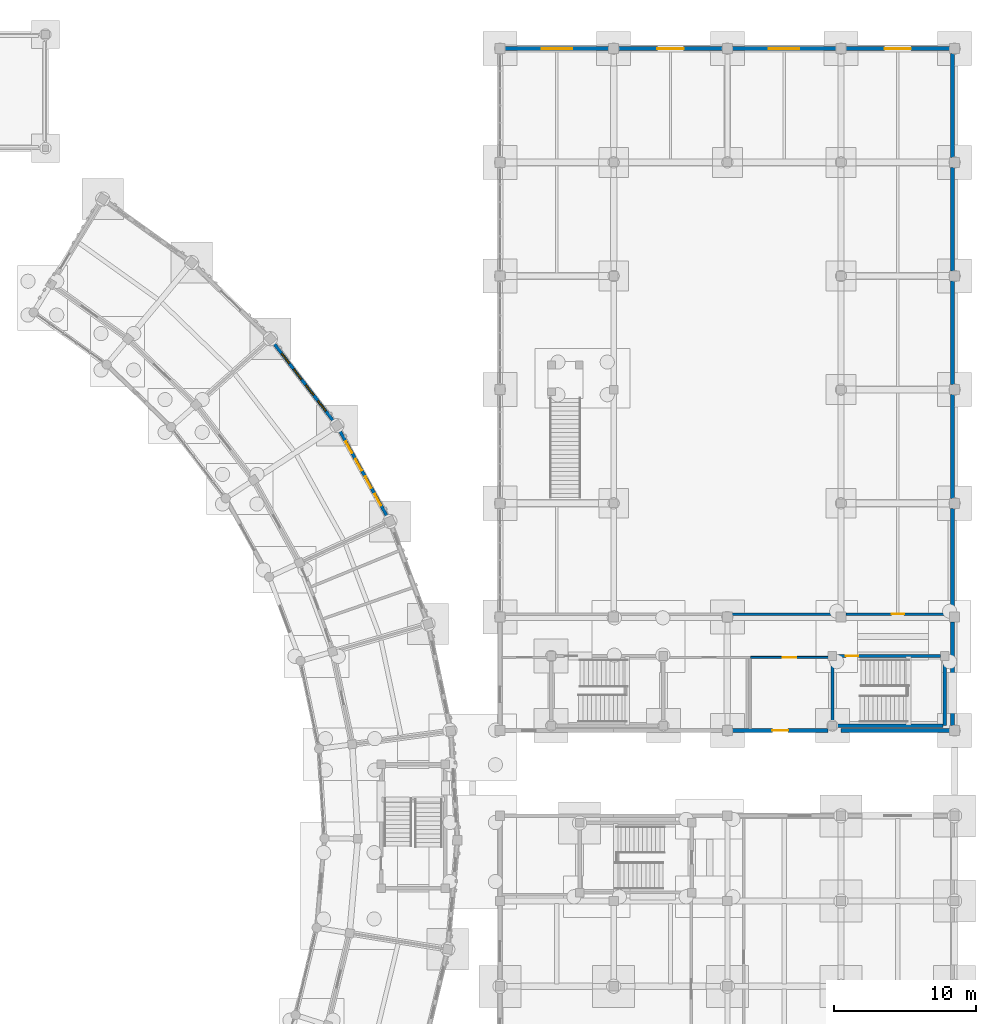
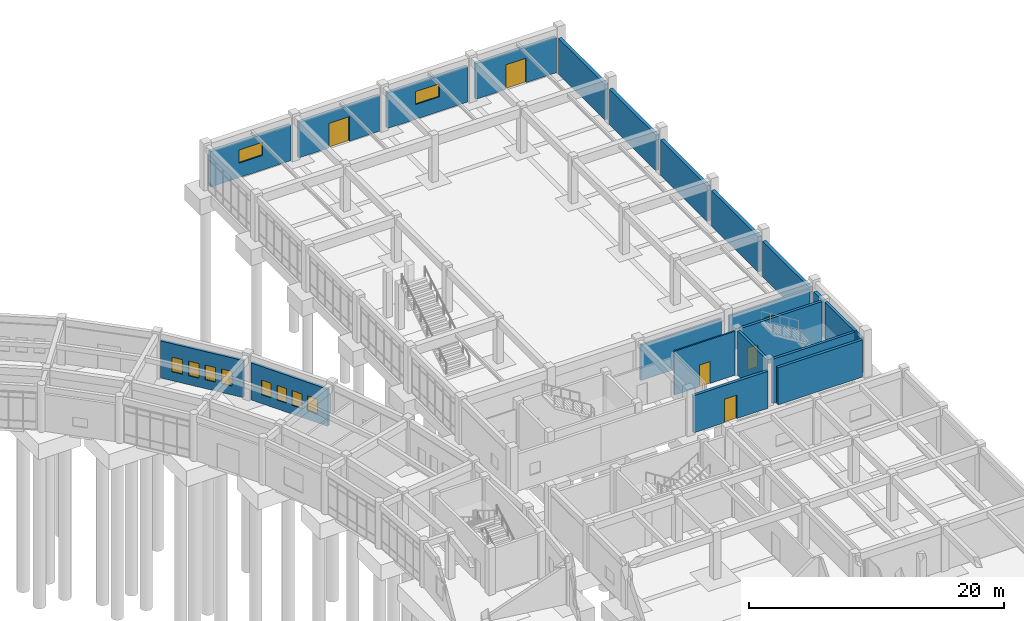
# One storey, part 136 of 153: 21 walls, 10 windows, 6 doors, 16 openings.
"""IFC4 building model written with IfcOpenShell, lengths in metres."""

from ifc_helpers import new_model, si_unit, direction, frame, frame_2d, origin, place, context, subcontext, project, spatial, rectangle, extrude, material, layer, layer_set, type_object, element, fill, save


model = new_model("IFC4")

# Units and contexts
model_context = context("Model", 3, precision=1e-05, world=origin(), true_north=direction((0.0, 1.0)))
body_context = subcontext(model_context, "Body", "Model", "MODEL_VIEW")
ifc_project = project(units=[si_unit("LENGTHUNIT", "METRE"), si_unit("AREAUNIT", "SQUARE_METRE"), si_unit("VOLUMEUNIT", "CUBIC_METRE"), si_unit("PLANEANGLEUNIT", "RADIAN"), si_unit("MASSUNIT", "GRAM", prefix="KILO")], contexts=[model_context])

# Site, building, storey
site_placement = place(None, origin())
site = spatial("IfcSite", under=ifc_project, at=site_placement, CompositionType="ELEMENT")
building_placement = place(site_placement, origin())
building = spatial("IfcBuilding", under=site, at=building_placement, Name="Celadon Cloister-Ring School", CompositionType="ELEMENT")
storey_placement = place(building_placement, origin())
storey = spatial("IfcBuildingStorey", under=building, at=storey_placement, Name="L00", CompositionType="ELEMENT", Elevation=0.0)

# Wall, opening, window
ifc_material_1 = material(Name="Rendered concrete blockwork", Category="masonry")
ifc_layer_1 = layer(ifc_material_1, 0.280029296875)
ifc_layer_set_1 = layer_set([ifc_layer_1], Name="Rendered concrete blockwork")
wall_type_1 = type_object("IfcWallType", Name="WT-EX1", PredefinedType="SOLIDWALL", material=ifc_layer_set_1)
wall_1_placement = place(storey_placement, frame((142.35205078125, 114.0, 0.0), z_axis=(0.0, 0.0, 1.0), x_axis=(1.0, 0.0, 0.0)))
wall_1 = element("IfcWall", 1, at=wall_1_placement, inside=storey, type_object=wall_type_1, Name="Exterior Wall 0377", PredefinedType="SOLIDWALL", context=body_context, shape_type="SweptSolid", body=[
    extrude(rectangle(XDim=7.2958984375, YDim=0.280029296875, at=frame_2d((3.64794921875, 0.0))), origin(), (0.0, 0.0, 1.0), 3.402099609375),
])
opening_1_placement = place(wall_1_placement, frame((2.572998046875, 0.0, 1.39990234375)))
opening_1 = element("IfcOpeningElement", 2, at=opening_1_placement, cuts=wall_1, Name="Opening WN-19", PredefinedType="OPENING", context=body_context, shape_type="SweptSolid", body=[
    extrude(rectangle(XDim=2.14990234375, YDim=1.25, at=frame_2d((1.074951171875, 0.625))), frame((0.0, 0.14990234375, 0.0), z_axis=(0.0, -1.0, 0.0), x_axis=(1.0, 0.0, 0.0)), (0.0, 0.0, 1.0), 0.300048828125),
])
ifc_material_2 = material(Name="Tempered laminated insulating glass", Category="glass")
window_type_1 = type_object("IfcWindowType", Name="WN-19", PartitioningType="DOUBLE_PANEL_VERTICAL", PredefinedType="WINDOW", material=ifc_material_2)
window_1_placement = place(opening_1_placement, origin())
window_1 = element("IfcWindow", 3, at=window_1_placement, inside=storey, type_object=window_type_1, Name="Window 0946", OverallHeight=1.25, OverallWidth=2.14990234375, PartitioningType="SINGLE_PANEL", PredefinedType="WINDOW", context=body_context, shape_type="SweptSolid", body=[
    extrude(rectangle(XDim=2.14990234375, YDim=1.25, at=frame_2d((1.074951171875, 0.625))), frame((0.0, 0.030029296875, 0.0), z_axis=(0.0, -1.0, 0.0), x_axis=(1.0, 0.0, 0.0)), (0.0, 0.0, 1.0), 0.06005859375),
])
fill(opening_1, window_1)

# Wall, opening, door
wall_2_placement = place(storey_placement, frame((150.35205078125, 114.0, 0.0), z_axis=(0.0, 0.0, 1.0), x_axis=(1.0, 0.0, 0.0)))
wall_2 = element("IfcWall", 4, at=wall_2_placement, inside=storey, type_object=wall_type_1, Name="Exterior Wall 0379", PredefinedType="SOLIDWALL", context=body_context, shape_type="SweptSolid", body=[
    extrude(rectangle(XDim=7.2958984375, YDim=0.280029296875, at=frame_2d((3.64794921875, 0.0))), origin(), (0.0, 0.0, 1.0), 3.402099609375),
])
opening_2_placement = place(wall_2_placement, frame((2.722900390625, 0.0, 0.0)))
opening_2 = element("IfcOpeningElement", 5, at=opening_2_placement, cuts=wall_2, Name="Opening D-0015", PredefinedType="OPENING", context=body_context, shape_type="SweptSolid", body=[
    extrude(rectangle(XDim=1.85009765625, YDim=2.35009765625, at=frame_2d((0.925048828125, 1.175048828125))), frame((0.0, 0.14990234375, 0.0), z_axis=(0.0, -1.0, 0.0), x_axis=(1.0, 0.0, 0.0)), (0.0, 0.0, 1.0), 0.300048828125),
])
ifc_material_3 = material(Name="Aluminium EN AW-6063 T6", Category="aluminium")
door_type_1 = type_object("IfcDoorType", Name="DE-10", OperationType="NOTDEFINED", PredefinedType="DOOR", material=ifc_material_3)
door_1_placement = place(opening_2_placement, origin())
door_1 = element("IfcDoor", 6, at=door_1_placement, inside=storey, type_object=door_type_1, Name="Exterior Door D-0015", OperationType="SINGLE_SWING_LEFT", OverallHeight=2.35009765625, OverallWidth=1.85009765625, PredefinedType="DOOR", context=body_context, shape_type="SweptSolid", body=[
    extrude(rectangle(XDim=1.85009765625, YDim=2.35009765625, at=frame_2d((0.925048828125, 1.175048828125))), frame((0.0, 0.02490234375, 0.0), z_axis=(0.0, -1.0, 0.0), x_axis=(1.0, 0.0, 0.0)), (0.0, 0.0, 1.0), 0.050048828125),
])
fill(opening_2, door_1)

# Wall, opening, window
wall_3_placement = place(storey_placement, frame((158.35205078125, 114.0, 0.0), z_axis=(0.0, 0.0, 1.0), x_axis=(1.0, 0.0, 0.0)))
wall_3 = element("IfcWall", 7, at=wall_3_placement, inside=storey, type_object=wall_type_1, Name="Exterior Wall 0381", PredefinedType="SOLIDWALL", context=body_context, shape_type="SweptSolid", body=[
    extrude(rectangle(XDim=7.2958984375, YDim=0.280029296875, at=frame_2d((3.64794921875, 0.0))), origin(), (0.0, 0.0, 1.0), 3.402099609375),
])
opening_3_placement = place(wall_3_placement, frame((2.572998046875, 0.0, 1.39990234375)))
opening_3 = element("IfcOpeningElement", 8, at=opening_3_placement, cuts=wall_3, Name="Opening WN-19", PredefinedType="OPENING", context=body_context, shape_type="SweptSolid", body=[
    extrude(rectangle(XDim=2.14990234375, YDim=1.25, at=frame_2d((1.074951171875, 0.625))), frame((0.0, 0.14990234375, 0.0), z_axis=(0.0, -1.0, 0.0), x_axis=(1.0, 0.0, 0.0)), (0.0, 0.0, 1.0), 0.300048828125),
])
window_2_placement = place(opening_3_placement, origin())
window_2 = element("IfcWindow", 9, at=window_2_placement, inside=storey, type_object=window_type_1, Name="Window 0948", OverallHeight=1.25, OverallWidth=2.14990234375, PartitioningType="SINGLE_PANEL", PredefinedType="WINDOW", context=body_context, shape_type="SweptSolid", body=[
    extrude(rectangle(XDim=2.14990234375, YDim=1.25, at=frame_2d((1.074951171875, 0.625))), frame((0.0, 0.030029296875, 0.0), z_axis=(0.0, -1.0, 0.0), x_axis=(1.0, 0.0, 0.0)), (0.0, 0.0, 1.0), 0.06005859375),
])
fill(opening_3, window_2)

# Wall, opening, door
wall_4_placement = place(storey_placement, frame((166.35205078125, 114.0, 0.0), z_axis=(0.0, 0.0, 1.0), x_axis=(1.0, 0.0, 0.0)))
wall_4 = element("IfcWall", 10, at=wall_4_placement, inside=storey, type_object=wall_type_1, Name="Exterior Wall 0383", PredefinedType="SOLIDWALL", context=body_context, shape_type="SweptSolid", body=[
    extrude(rectangle(XDim=7.2958984375, YDim=0.280029296875, at=frame_2d((3.64794921875, 0.0))), origin(), (0.0, 0.0, 1.0), 3.402099609375),
])
opening_4_placement = place(wall_4_placement, frame((2.722900390625, 0.0, 0.0)))
opening_4 = element("IfcOpeningElement", 11, at=opening_4_placement, cuts=wall_4, Name="Opening D-0017", PredefinedType="OPENING", context=body_context, shape_type="SweptSolid", body=[
    extrude(rectangle(XDim=1.85009765625, YDim=2.35009765625, at=frame_2d((0.925048828125, 1.175048828125))), frame((0.0, 0.14990234375, 0.0), z_axis=(0.0, -1.0, 0.0), x_axis=(1.0, 0.0, 0.0)), (0.0, 0.0, 1.0), 0.300048828125),
])
door_2_placement = place(opening_4_placement, origin())
door_2 = element("IfcDoor", 12, at=door_2_placement, inside=storey, type_object=door_type_1, Name="Exterior Door D-0017", OperationType="SINGLE_SWING_LEFT", OverallHeight=2.35009765625, OverallWidth=1.85009765625, PredefinedType="DOOR", context=body_context, shape_type="SweptSolid", body=[
    extrude(rectangle(XDim=1.85009765625, YDim=2.35009765625, at=frame_2d((0.925048828125, 1.175048828125))), frame((0.0, 0.02490234375, 0.0), z_axis=(0.0, -1.0, 0.0), x_axis=(1.0, 0.0, 0.0)), (0.0, 0.0, 1.0), 0.050048828125),
])
fill(opening_4, door_2)

ifc_material_4 = material(Name="Rendered concrete blockwork", Category="masonry")
ifc_layer_2 = layer(ifc_material_4, 0.260009765625)
ifc_layer_set_2 = layer_set([ifc_layer_2], Name="Rendered concrete blockwork")
wall_type_2 = type_object("IfcWallType", Name="WT-EX2", PredefinedType="SOLIDWALL", material=ifc_layer_set_2)
wall_5_placement = place(storey_placement, frame((165.097900390625, 66.0, 0.0), z_axis=(0.0, 0.0, 1.0), x_axis=(-1.0, 0.0, 0.0)))
wall_5 = element("IfcWall", 13, at=wall_5_placement, inside=storey, type_object=wall_type_2, Name="Exterior Wall 0382", PredefinedType="SOLIDWALL", context=body_context, shape_type="SweptSolid", body=[
    extrude(rectangle(XDim=6.745849609375, YDim=0.260009765625, at=frame_2d((3.373046875, 0.0))), origin(), (0.0, 0.0, 1.0), 3.550048828125),
])
opening_5_placement = place(wall_5_placement, frame((2.822998046875, 0.0, 0.0)))
opening_5 = element("IfcOpeningElement", 14, at=opening_5_placement, cuts=wall_5, Name="Opening D-0016", PredefinedType="OPENING", context=body_context, shape_type="SweptSolid", body=[
    extrude(rectangle(XDim=1.10009765625, YDim=2.25, at=frame_2d((0.550048828125, 1.125))), frame((0.0, 0.14013671875, 0.0), z_axis=(0.0, -1.0, 0.0), x_axis=(1.0, 0.0, 0.0)), (0.0, 0.0, 1.0), 0.280029296875),
])
ifc_material_5 = material(Name="Aluminium EN AW-6063 T6", Category="aluminium")
door_type_2 = type_object("IfcDoorType", Name="DE-05", OperationType="NOTDEFINED", PredefinedType="DOOR", material=ifc_material_5)
door_3_placement = place(opening_5_placement, origin())
door_3 = element("IfcDoor", 15, at=door_3_placement, inside=storey, type_object=door_type_2, Name="Exterior Door D-0016", OperationType="SINGLE_SWING_RIGHT", OverallHeight=2.25, OverallWidth=1.10009765625, PredefinedType="DOOR", context=body_context, shape_type="SweptSolid", body=[
    extrude(rectangle(XDim=1.10009765625, YDim=2.25, at=frame_2d((0.550048828125, 1.125))), frame((0.0, 0.02490234375, 0.0), z_axis=(0.0, -1.0, 0.0), x_axis=(1.0, 0.0, 0.0)), (0.0, 0.0, 1.0), 0.050048828125),
])
fill(opening_5, door_3)

# Wall
wall_6_placement = place(storey_placement, frame((173.64794921875, 66.0, 0.0), z_axis=(0.0, 0.0, 1.0), x_axis=(-1.0, 0.0, 0.0)))
element("IfcWall", 16, at=wall_6_placement, inside=storey, type_object=wall_type_2, Name="Exterior Wall 0384", PredefinedType="SOLIDWALL", context=body_context, shape_type="SweptSolid", body=[
    extrude(rectangle(XDim=7.64794921875, YDim=0.260009765625, at=frame_2d((3.823974609375, 0.0))), origin(), (0.0, 0.0, 1.0), 3.550048828125),
])

# Wall, openings, windows
ifc_material_6 = material(Name="Perforated terracotta clay brick masonry", Category="masonry")
ifc_layer_3 = layer(ifc_material_6, 0.219970703125)
ifc_layer_set_3 = layer_set([ifc_layer_3], Name="Perforated terracotta clay brick masonry")
wall_type_3 = type_object("IfcWallType", Name="WT-EX4", PredefinedType="SOLIDWALL", material=ifc_layer_set_3)
wall_7_placement = place(storey_placement, frame((130.678955078125, 87.173095703125, 0.0), z_axis=(0.0, 0.0, 1.0), x_axis=(0.483873000068, -0.87513822897, 0.0)))
wall_7 = element("IfcWall", 17, at=wall_7_placement, inside=storey, type_object=wall_type_3, Name="Exterior Wall 0045", PredefinedType="SOLIDWALL", context=body_context, shape_type="SweptSolid", body=[
    extrude(rectangle(XDim=7.031005859375, YDim=0.219970703125, at=frame_2d((3.515625, 0.0))), origin(), (0.0, 0.0, 1.0), 3.550048828125),
])
opening_6_placement = place(wall_7_placement, frame((0.9560546875, 0.0, 0.85009765625)))
opening_6 = element("IfcOpeningElement", 18, at=opening_6_placement, cuts=wall_7, Name="Opening WN-21", PredefinedType="OPENING", context=body_context, shape_type="SweptSolid", body=[
    extrude(rectangle(XDim=0.89990234375, YDim=1.39990234375, at=frame_2d((0.449951171875, 0.699951171875))), frame((0.0, 0.1201171875, 0.0), z_axis=(0.0, -1.0, 0.0), x_axis=(1.0, 0.0, 0.0)), (0.0, 0.0, 1.0), 0.239990234375),
])
opening_7_placement = place(wall_7_placement, frame((2.362060546875, 0.0, 0.85009765625)))
opening_7 = element("IfcOpeningElement", 19, at=opening_7_placement, cuts=wall_7, Name="Opening WN-21", PredefinedType="OPENING", context=body_context, shape_type="SweptSolid", body=[
    extrude(rectangle(XDim=0.89990234375, YDim=1.39990234375, at=frame_2d((0.449951171875, 0.699951171875))), frame((0.0, 0.1201171875, 0.0), z_axis=(0.0, -1.0, 0.0), x_axis=(1.0, 0.0, 0.0)), (0.0, 0.0, 1.0), 0.239990234375),
])
opening_8_placement = place(wall_7_placement, frame((3.76904296875, 0.0, 0.85009765625)))
opening_8 = element("IfcOpeningElement", 20, at=opening_8_placement, cuts=wall_7, Name="Opening WN-21", PredefinedType="OPENING", context=body_context, shape_type="SweptSolid", body=[
    extrude(rectangle(XDim=0.89990234375, YDim=1.39990234375, at=frame_2d((0.449951171875, 0.699951171875))), frame((0.0, 0.1201171875, 0.0), z_axis=(0.0, -1.0, 0.0), x_axis=(1.0, 0.0, 0.0)), (0.0, 0.0, 1.0), 0.239990234375),
])
opening_9_placement = place(wall_7_placement, frame((5.175048828125, 0.0, 0.85009765625)))
opening_9 = element("IfcOpeningElement", 21, at=opening_9_placement, cuts=wall_7, Name="Opening WN-21", PredefinedType="OPENING", context=body_context, shape_type="SweptSolid", body=[
    extrude(rectangle(XDim=0.89990234375, YDim=1.39990234375, at=frame_2d((0.449951171875, 0.699951171875))), frame((0.0, 0.1201171875, 0.0), z_axis=(0.0, -1.0, 0.0), x_axis=(1.0, 0.0, 0.0)), (0.0, 0.0, 1.0), 0.239990234375),
])
ifc_material_7 = material(Name="Tempered laminated insulating glass", Category="glass")
window_type_2 = type_object("IfcWindowType", Name="WN-21", PartitioningType="SINGLE_PANEL", PredefinedType="WINDOW", material=ifc_material_7)
window_3_placement = place(opening_6_placement, origin())
window_3 = element("IfcWindow", 22, at=window_3_placement, inside=storey, type_object=window_type_2, Name="Window 0115", OverallHeight=1.39990234375, OverallWidth=0.89990234375, PartitioningType="SINGLE_PANEL", PredefinedType="WINDOW", context=body_context, shape_type="SweptSolid", body=[
    extrude(rectangle(XDim=0.89990234375, YDim=1.39990234375, at=frame_2d((0.449951171875, 0.699951171875))), frame((0.0, 0.030029296875, 0.0), z_axis=(0.0, -1.0, 0.0), x_axis=(1.0, 0.0, 0.0)), (0.0, 0.0, 1.0), 0.06005859375),
])
fill(opening_6, window_3)
window_4_placement = place(opening_7_placement, origin())
window_4 = element("IfcWindow", 23, at=window_4_placement, inside=storey, type_object=window_type_2, Name="Window 0116", OverallHeight=1.39990234375, OverallWidth=0.89990234375, PartitioningType="SINGLE_PANEL", PredefinedType="WINDOW", context=body_context, shape_type="SweptSolid", body=[
    extrude(rectangle(XDim=0.89990234375, YDim=1.39990234375, at=frame_2d((0.449951171875, 0.699951171875))), frame((0.0, 0.030029296875, 0.0), z_axis=(0.0, -1.0, 0.0), x_axis=(1.0, 0.0, 0.0)), (0.0, 0.0, 1.0), 0.06005859375),
])
fill(opening_7, window_4)
window_5_placement = place(opening_8_placement, origin())
window_5 = element("IfcWindow", 24, at=window_5_placement, inside=storey, type_object=window_type_2, Name="Window 0117", OverallHeight=1.39990234375, OverallWidth=0.89990234375, PartitioningType="SINGLE_PANEL", PredefinedType="WINDOW", context=body_context, shape_type="SweptSolid", body=[
    extrude(rectangle(XDim=0.89990234375, YDim=1.39990234375, at=frame_2d((0.449951171875, 0.699951171875))), frame((0.0, 0.030029296875, 0.0), z_axis=(0.0, -1.0, 0.0), x_axis=(1.0, 0.0, 0.0)), (0.0, 0.0, 1.0), 0.06005859375),
])
fill(opening_8, window_5)
window_6_placement = place(opening_9_placement, origin())
window_6 = element("IfcWindow", 25, at=window_6_placement, inside=storey, type_object=window_type_2, Name="Window 0118", OverallHeight=1.39990234375, OverallWidth=0.89990234375, PartitioningType="SINGLE_PANEL", PredefinedType="WINDOW", context=body_context, shape_type="SweptSolid", body=[
    extrude(rectangle(XDim=0.89990234375, YDim=1.39990234375, at=frame_2d((0.449951171875, 0.699951171875))), frame((0.0, 0.030029296875, 0.0), z_axis=(0.0, -1.0, 0.0), x_axis=(1.0, 0.0, 0.0)), (0.0, 0.0, 1.0), 0.06005859375),
])
fill(opening_9, window_6)

wall_8_placement = place(storey_placement, frame((126.035888671875, 93.31689453125, 0.0), z_axis=(0.0, 0.0, 1.0), x_axis=(0.60805685998, -0.793893478391, 0.0)))
wall_8 = element("IfcWall", 26, at=wall_8_placement, inside=storey, type_object=wall_type_3, Name="Exterior Wall 0047", PredefinedType="SOLIDWALL", context=body_context, shape_type="SweptSolid", body=[
    extrude(rectangle(XDim=7.032470703125, YDim=0.219970703125, at=frame_2d((3.51611328125, 0.0))), origin(), (0.0, 0.0, 1.0), 3.550048828125),
])
opening_10_placement = place(wall_8_placement, frame((0.9560546875, 0.0, 0.85009765625)))
opening_10 = element("IfcOpeningElement", 27, at=opening_10_placement, cuts=wall_8, Name="Opening WN-21", PredefinedType="OPENING", context=body_context, shape_type="SweptSolid", body=[
    extrude(rectangle(XDim=0.89990234375, YDim=1.39990234375, at=frame_2d((0.449951171875, 0.699951171875))), frame((0.0, 0.1201171875, 0.0), z_axis=(0.0, -1.0, 0.0), x_axis=(1.0, 0.0, 0.0)), (0.0, 0.0, 1.0), 0.239990234375),
])
opening_11_placement = place(wall_8_placement, frame((2.363037109375, 0.0, 0.85009765625)))
opening_11 = element("IfcOpeningElement", 28, at=opening_11_placement, cuts=wall_8, Name="Opening WN-21", PredefinedType="OPENING", context=body_context, shape_type="SweptSolid", body=[
    extrude(rectangle(XDim=0.89990234375, YDim=1.39990234375, at=frame_2d((0.449951171875, 0.699951171875))), frame((0.0, 0.1201171875, 0.0), z_axis=(0.0, -1.0, 0.0), x_axis=(1.0, 0.0, 0.0)), (0.0, 0.0, 1.0), 0.239990234375),
])
opening_12_placement = place(wall_8_placement, frame((3.76904296875, 0.0, 0.85009765625)))
opening_12 = element("IfcOpeningElement", 29, at=opening_12_placement, cuts=wall_8, Name="Opening WN-21", PredefinedType="OPENING", context=body_context, shape_type="SweptSolid", body=[
    extrude(rectangle(XDim=0.89990234375, YDim=1.39990234375, at=frame_2d((0.449951171875, 0.699951171875))), frame((0.0, 0.1201171875, 0.0), z_axis=(0.0, -1.0, 0.0), x_axis=(1.0, 0.0, 0.0)), (0.0, 0.0, 1.0), 0.239990234375),
])
opening_13_placement = place(wall_8_placement, frame((5.176025390625, 0.0, 0.85009765625)))
opening_13 = element("IfcOpeningElement", 30, at=opening_13_placement, cuts=wall_8, Name="Opening WN-21", PredefinedType="OPENING", context=body_context, shape_type="SweptSolid", body=[
    extrude(rectangle(XDim=0.89990234375, YDim=1.39990234375, at=frame_2d((0.449951171875, 0.699951171875))), frame((0.0, 0.1201171875, 0.0), z_axis=(0.0, -1.0, 0.0), x_axis=(1.0, 0.0, 0.0)), (0.0, 0.0, 1.0), 0.239990234375),
])
window_7_placement = place(opening_10_placement, origin())
window_7 = element("IfcWindow", 31, at=window_7_placement, inside=storey, type_object=window_type_2, Name="Window 0119", OverallHeight=1.39990234375, OverallWidth=0.89990234375, PartitioningType="SINGLE_PANEL", PredefinedType="WINDOW", context=body_context, shape_type="SweptSolid", body=[
    extrude(rectangle(XDim=0.89990234375, YDim=1.39990234375, at=frame_2d((0.449951171875, 0.699951171875))), frame((0.0, 0.030029296875, 0.0), z_axis=(0.0, -1.0, 0.0), x_axis=(1.0, 0.0, 0.0)), (0.0, 0.0, 1.0), 0.06005859375),
])
fill(opening_10, window_7)
window_8_placement = place(opening_11_placement, origin())
window_8 = element("IfcWindow", 32, at=window_8_placement, inside=storey, type_object=window_type_2, Name="Window 0120", OverallHeight=1.39990234375, OverallWidth=0.89990234375, PartitioningType="SINGLE_PANEL", PredefinedType="WINDOW", context=body_context, shape_type="SweptSolid", body=[
    extrude(rectangle(XDim=0.89990234375, YDim=1.39990234375, at=frame_2d((0.449951171875, 0.699951171875))), frame((0.0, 0.030029296875, 0.0), z_axis=(0.0, -1.0, 0.0), x_axis=(1.0, 0.0, 0.0)), (0.0, 0.0, 1.0), 0.06005859375),
])
fill(opening_11, window_8)
window_9_placement = place(opening_12_placement, origin())
window_9 = element("IfcWindow", 33, at=window_9_placement, inside=storey, type_object=window_type_2, Name="Window 0121", OverallHeight=1.39990234375, OverallWidth=0.89990234375, PartitioningType="SINGLE_PANEL", PredefinedType="WINDOW", context=body_context, shape_type="SweptSolid", body=[
    extrude(rectangle(XDim=0.89990234375, YDim=1.39990234375, at=frame_2d((0.449951171875, 0.699951171875))), frame((0.0, 0.030029296875, 0.0), z_axis=(0.0, -1.0, 0.0), x_axis=(1.0, 0.0, 0.0)), (0.0, 0.0, 1.0), 0.06005859375),
])
fill(opening_12, window_9)
window_10_placement = place(opening_13_placement, origin())
window_10 = element("IfcWindow", 34, at=window_10_placement, inside=storey, type_object=window_type_2, Name="Window 0122", OverallHeight=1.39990234375, OverallWidth=0.89990234375, PartitioningType="SINGLE_PANEL", PredefinedType="WINDOW", context=body_context, shape_type="SweptSolid", body=[
    extrude(rectangle(XDim=0.89990234375, YDim=1.39990234375, at=frame_2d((0.449951171875, 0.699951171875))), frame((0.0, 0.030029296875, 0.0), z_axis=(0.0, -1.0, 0.0), x_axis=(1.0, 0.0, 0.0)), (0.0, 0.0, 1.0), 0.06005859375),
])
fill(opening_13, window_10)

# Walls
ifc_material_8 = material(Name="Concrete C40/50", Category="concrete")
ifc_layer_4 = layer(ifc_material_8, 0.300048828125)
ifc_layer_set_4 = layer_set([ifc_layer_4], Name="Concrete C40/50")
wall_type_4 = type_object("IfcWallType", Name="WT-FW1", PredefinedType="SHEAR", material=ifc_layer_set_4)
for number, where, z_axis, x_axis, name in (
    (35, (173.85009765625, 113.64794921875, 0.0), (0.0, 0.0, 1.0), (0.0, -1.0, 0.0), "Exterior Wall 0371"),
    (36, (173.85009765625, 105.64794921875, 0.0), (0.0, 0.0, 1.0), (0.0, -1.0, 0.0), "Exterior Wall 0372"),
    (37, (173.85009765625, 97.64794921875, 0.0), (0.0, 0.0, 1.0), (0.0, -1.0, 0.0), "Exterior Wall 0373"),
    (38, (173.85009765625, 89.64794921875, 0.0), (0.0, 0.0, 1.0), (0.0, -1.0, 0.0), "Exterior Wall 0374"),
    (39, (173.85009765625, 81.64794921875, 0.0), (0.0, 0.0, 1.0), (0.0, -1.0, 0.0), "Exterior Wall 0375"),
    (40, (173.85009765625, 73.64794921875, 0.0), (0.0, 0.0, 1.0), (0.0, -1.0, 0.0), "Exterior Wall 0376"),
):
    element("IfcWall", number, at=place(storey_placement, frame(where, z_axis=z_axis, x_axis=x_axis)), inside=storey, type_object=wall_type_4, Name=name, PredefinedType="SHEAR", context=body_context, shape_type="SweptSolid", body=[
        extrude(rectangle(XDim=7.2958984375, YDim=0.300048828125, at=frame_2d((3.64794921875, 0.0))), origin(), (0.0, 0.0, 1.0), 3.402099609375),
    ])

# Wall, opening, door
ifc_material_9 = material(Name="Plastered hollow concrete masonry", Category="masonry")
ifc_layer_5 = layer(ifc_material_9, 0.179931640625)
ifc_layer_set_5 = layer_set([ifc_layer_5], Name="Plastered hollow concrete masonry")
wall_type_5 = type_object("IfcWallType", Name="WT-PT2", PredefinedType="PARTITIONING", material=ifc_layer_set_5)
wall_9_placement = place(storey_placement, frame((173.657958984375, 74.199951171875, 0.0), z_axis=(0.0, 0.0, 1.0), x_axis=(-1.0, 0.0, 0.0)))
wall_9 = element("IfcWall", 41, at=wall_9_placement, inside=storey, type_object=wall_type_5, Name="Interior Wall 0874", PredefinedType="PARTITIONING", context=body_context, shape_type="SweptSolid", body=[
    extrude(rectangle(XDim=7.31591796875, YDim=0.179931640625, at=frame_2d((3.657958984375, 0.0))), origin(), (0.0, 0.0, 1.0), 3.402099609375),
])
opening_14_placement = place(wall_9_placement, frame((3.218017578125, 0.0, 0.0)))
opening_14 = element("IfcOpeningElement", 42, at=opening_14_placement, cuts=wall_9, Name="Opening D-0321", PredefinedType="OPENING", context=body_context, shape_type="SweptSolid", body=[
    extrude(rectangle(XDim=0.8798828125, YDim=2.10009765625, at=frame_2d((0.43994140625, 1.050048828125))), frame((0.0, 0.10009765625, 0.0), z_axis=(0.0, -1.0, 0.0), x_axis=(1.0, 0.0, 0.0)), (0.0, 0.0, 1.0), 0.199951171875),
])
ifc_material_10 = material(Name="Solid-core fire-rated hardwood leaf", Category="wood")
door_type_3 = type_object("IfcDoorType", Name="DT-01", OperationType="NOTDEFINED", PredefinedType="DOOR", material=ifc_material_10)
door_4_placement = place(opening_14_placement, origin())
door_4 = element("IfcDoor", 43, at=door_4_placement, inside=storey, type_object=door_type_3, Name="Door D-0321", OperationType="SINGLE_SWING_LEFT", OverallHeight=2.10009765625, OverallWidth=0.8798828125, PredefinedType="DOOR", context=body_context, shape_type="SweptSolid", body=[
    extrude(rectangle(XDim=0.8798828125, YDim=2.10009765625, at=frame_2d((0.43994140625, 1.050048828125))), frame((0.0, 0.02490234375, 0.0), z_axis=(0.0, -1.0, 0.0), x_axis=(1.0, 0.0, 0.0)), (0.0, 0.0, 1.0), 0.050048828125),
])
fill(opening_14, door_4)

# Wall
wall_10_placement = place(storey_placement, frame((165.657958984375, 74.199951171875, 0.0), z_axis=(0.0, 0.0, 1.0), x_axis=(-1.0, 0.0, 0.0)))
element("IfcWall", 44, at=wall_10_placement, inside=storey, type_object=wall_type_5, Name="Interior Wall 0875", PredefinedType="PARTITIONING", context=body_context, shape_type="SweptSolid", body=[
    extrude(rectangle(XDim=7.31591796875, YDim=0.179931640625, at=frame_2d((3.657958984375, 0.0))), origin(), (0.0, 0.0, 1.0), 3.402099609375),
])

# Wall, opening, door
ifc_material_11 = material(Name="Acoustic mineral-wool drywall partition")
ifc_layer_6 = layer(ifc_material_11, 0.139892578125)
ifc_layer_set_6 = layer_set([ifc_layer_6], Name="Acoustic mineral-wool drywall partition")
wall_type_6 = type_object("IfcWallType", Name="WT-PT4", PredefinedType="PARTITIONING", material=ifc_layer_set_6)
wall_11_placement = place(storey_placement, frame((159.639892578125, 71.14990234375, 0.0), z_axis=(0.0, 0.0, 1.0), x_axis=(1.0, 0.0, 0.0)))
wall_11 = element("IfcWall", 45, at=wall_11_placement, inside=storey, type_object=wall_type_6, Name="Interior Wall 0880", PredefinedType="PARTITIONING", context=body_context, shape_type="SweptSolid", body=[
    extrude(rectangle(XDim=5.468017578125, YDim=0.139892578125, at=frame_2d((2.73388671875, 0.0))), origin(), (0.0, 0.0, 1.0), 4.199951171875),
])
opening_15_placement = place(wall_11_placement, frame((2.25390625, 0.0, 0.0)))
opening_15 = element("IfcOpeningElement", 46, at=opening_15_placement, cuts=wall_11, Name="Opening D-0323", PredefinedType="OPENING", context=body_context, shape_type="SweptSolid", body=[
    extrude(rectangle(XDim=0.9599609375, YDim=2.10009765625, at=frame_2d((0.47998046875, 1.050048828125))), frame((0.0, 0.080078125, 0.0), z_axis=(0.0, -1.0, 0.0), x_axis=(1.0, 0.0, 0.0)), (0.0, 0.0, 1.0), 0.159912109375),
])
ifc_material_12 = material(Name="Solid-core fire-rated hardwood leaf", Category="wood")
door_type_4 = type_object("IfcDoorType", Name="DT-03", OperationType="NOTDEFINED", PredefinedType="DOOR", material=ifc_material_12)
door_5_placement = place(opening_15_placement, origin())
door_5 = element("IfcDoor", 47, at=door_5_placement, inside=storey, type_object=door_type_4, Name="Door D-0323", OperationType="SINGLE_SWING_LEFT", OverallHeight=2.10009765625, OverallWidth=0.9599609375, PredefinedType="DOOR", context=body_context, shape_type="SweptSolid", body=[
    extrude(rectangle(XDim=0.9599609375, YDim=2.10009765625, at=frame_2d((0.47998046875, 1.050048828125))), frame((0.0, 0.02490234375, 0.0), z_axis=(0.0, -1.0, 0.0), x_axis=(1.0, 0.0, 0.0)), (0.0, 0.0, 1.0), 0.050048828125),
])
fill(opening_15, door_5)

# Walls
ifc_material_13 = material(Name="Concrete C40/50", Category="concrete")
ifc_layer_7 = layer(ifc_material_13, 0.239990234375)
ifc_layer_set_7 = layer_set([ifc_layer_7], Name="Concrete C40/50")
wall_type_7 = type_object("IfcWallType", Name="WT-SH1", PredefinedType="SHEAR", material=ifc_layer_set_7)
wall_12_placement = place(storey_placement, frame((165.39990234375, 66.64208984375, 0.0), z_axis=(0.0, 0.0, 1.0), x_axis=(0.0, 1.0, 0.0)))
element("IfcWall", 48, at=wall_12_placement, inside=storey, type_object=wall_type_7, Name="Interior Wall 0121", PredefinedType="SHEAR", context=body_context, shape_type="SweptSolid", body=[
    extrude(rectangle(XDim=4.31591796875, YDim=0.239990234375, at=frame_2d((2.157958984375, 0.0))), origin(), (0.0, 0.0, 1.0), 4.239990234375),
])
wall_13_placement = place(storey_placement, frame((173.300048828125, 70.9580078125, 0.0), z_axis=(0.0, 0.0, 1.0), x_axis=(0.0, -1.0, 0.0)))
element("IfcWall", 49, at=wall_13_placement, inside=storey, type_object=wall_type_7, Name="Interior Wall 0122", PredefinedType="SHEAR", context=body_context, shape_type="SweptSolid", body=[
    extrude(rectangle(XDim=4.60791015625, YDim=0.239990234375, at=frame_2d((2.303955078125, 0.0))), origin(), (0.0, 0.0, 1.0), 4.239990234375),
])
wall_14_placement = place(storey_placement, frame((173.177001953125, 66.35009765625, 0.0), z_axis=(0.0, 0.0, 1.0), x_axis=(-1.0, 0.0, 0.0)))
element("IfcWall", 50, at=wall_14_placement, inside=storey, type_object=wall_type_7, Name="Interior Wall 0123", PredefinedType="SHEAR", context=body_context, shape_type="SweptSolid", body=[
    extrude(rectangle(XDim=7.485107421875, YDim=0.239990234375, at=frame_2d((3.74267578125, 0.0))), origin(), (0.0, 0.0, 1.0), 4.239990234375),
])

# Wall, opening, door
wall_15_placement = place(storey_placement, frame((165.69189453125, 71.25, 0.0), z_axis=(0.0, 0.0, 1.0), x_axis=(1.0, 0.0, 0.0)))
wall_15 = element("IfcWall", 51, at=wall_15_placement, inside=storey, type_object=wall_type_7, Name="Interior Wall 0124", PredefinedType="SHEAR", context=body_context, shape_type="SweptSolid", body=[
    extrude(rectangle(XDim=7.316162109375, YDim=0.239990234375, at=frame_2d((3.658203125, 0.0))), origin(), (0.0, 0.0, 1.0), 4.239990234375),
])
opening_16_placement = place(wall_15_placement, frame((0.656982421875, 0.0, 0.0)))
opening_16 = element("IfcOpeningElement", 52, at=opening_16_placement, cuts=wall_15, Name="Opening D-0063", PredefinedType="OPENING", context=body_context, shape_type="SweptSolid", body=[
    extrude(rectangle(XDim=0.8798828125, YDim=2.10009765625, at=frame_2d((0.43994140625, 1.050048828125))), frame((0.0, 0.1298828125, 0.0), z_axis=(0.0, -1.0, 0.0), x_axis=(1.0, 0.0, 0.0)), (0.0, 0.0, 1.0), 0.260009765625),
])
door_6_placement = place(opening_16_placement, origin())
door_6 = element("IfcDoor", 53, at=door_6_placement, inside=storey, type_object=door_type_3, Name="Door D-0063", OperationType="SINGLE_SWING_LEFT", OverallHeight=2.10009765625, OverallWidth=0.8798828125, PredefinedType="DOOR", context=body_context, shape_type="SweptSolid", body=[
    extrude(rectangle(XDim=0.8798828125, YDim=2.10009765625, at=frame_2d((0.43994140625, 1.050048828125))), frame((0.0, 0.02490234375, 0.0), z_axis=(0.0, -1.0, 0.0), x_axis=(1.0, 0.0, 0.0)), (0.0, 0.0, 1.0), 0.050048828125),
])
fill(opening_16, door_6)

save(model, "model.ifc")
